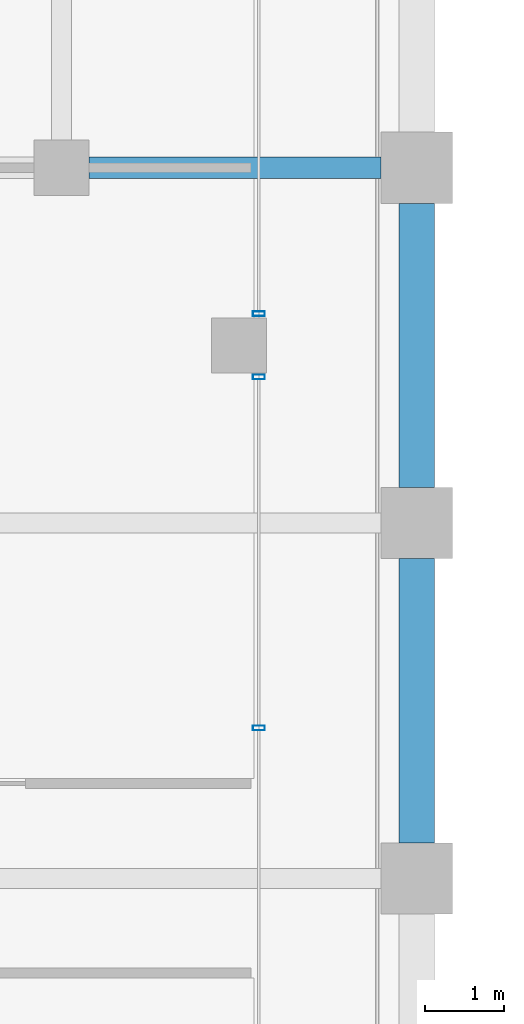
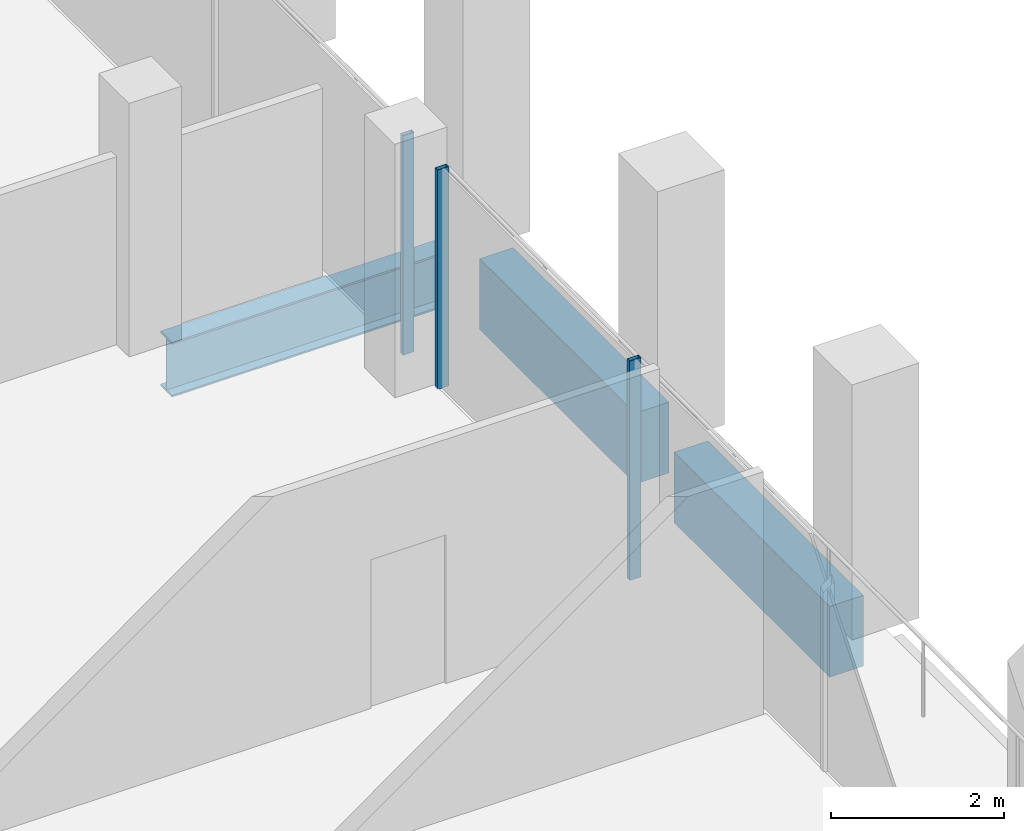
# One storey, part 19 of 40: 3 beams, 3 members, 2 elements without a shape of their own.
"""IFC4 building model written with IfcOpenShell, lengths in metres."""

from ifc_helpers import new_model, si_unit, direction, frame, origin, origin_2d, place, context, subcontext, project, spatial, rectangle, hollow_rectangle, i_section, extrude, material, material_profile, profile_set, type_object, element, aggregate, save


model = new_model("IFC4")

# Units and contexts
model_context = context("Model", 3, precision=1e-05, world=origin(), true_north=direction((0.0, 1.0)))
body_context = subcontext(model_context, "Body", "Model", "MODEL_VIEW")
ifc_project = project(units=[si_unit("LENGTHUNIT", "METRE"), si_unit("AREAUNIT", "SQUARE_METRE"), si_unit("VOLUMEUNIT", "CUBIC_METRE"), si_unit("PLANEANGLEUNIT", "RADIAN"), si_unit("MASSUNIT", "GRAM", prefix="KILO")], contexts=[model_context])

# Site, building, storey
site_placement = place(None, origin())
site = spatial("IfcSite", under=ifc_project, at=site_placement, CompositionType="ELEMENT")
building_placement = place(site_placement, origin())
building = spatial("IfcBuilding", under=site, at=building_placement, Name="Altepetl Exchange Towers", CompositionType="ELEMENT")
storey_placement = place(building_placement, frame((0.0, 0.0, 169.0)))
storey = spatial("IfcBuildingStorey", under=building, at=storey_placement, Name="L42", CompositionType="ELEMENT", Elevation=169.0)

# Beam
ifc_material_1 = material(Name="Steel S355", Category="steel")
ifc_material_profile_1 = material_profile(ifc_material_1, i_section(OverallWidth=0.26806640625, OverallDepth=0.77392578125, WebThickness=0.015380859375, FlangeThickness=0.025390625, at=origin_2d()), Name="W30X132")
ifc_profile_set_1 = profile_set([ifc_material_profile_1], Name="Steel S355")
beam_type_1 = type_object("IfcBeamType", Name="Girder W30X132", PredefinedType="BEAM", material=ifc_profile_set_1)
beam_placement = place(storey_placement, frame((67.85009765625, 58.5, -0.537109375), z_axis=(1.0, 0.0, 0.0), x_axis=(0.0, 1.0, 0.0)))
element("IfcBeam", 1, at=beam_placement, inside=storey, type_object=beam_type_1, Name="gd:A:L42:002", PredefinedType="BEAM", context=body_context, shape_type="SweptSolid", body=[
    extrude(i_section(OverallWidth=0.26806640625, OverallDepth=0.77392578125, WebThickness=0.015380859375, FlangeThickness=0.025390625, at=origin_2d()), origin(), (0.0, 0.0, 1.0), 3.699951171875),
])

# Curtain wall, members
ifc_material_2 = material(Name="Aluminium 6063-T6 glazing", Category="aluminium")
curtain_wall_type = type_object("IfcCurtainWallType", Name="Loggia glazing system", PredefinedType="NOTDEFINED", material=ifc_material_2)
curtain_wall_1_placement = place(storey_placement, origin())
curtain_wall_1 = element("IfcCurtainWall", 2, at=curtain_wall_1_placement, inside=storey, type_object=curtain_wall_type, Name="CW1 run", PredefinedType="NOTDEFINED")
ifc_material_3 = material(Name="Aluminium 6063-T6", Category="aluminium")
ifc_material_profile_2 = material_profile(ifc_material_3, hollow_rectangle(XDim=0.06005859375, YDim=0.14990234375, WallThickness=0.0029296875, at=origin_2d()), Name="Mullion 60x150 aluminium")
ifc_profile_set_2 = profile_set([ifc_material_profile_2], Name="Aluminium 6063-T6")
member_type = type_object("IfcMemberType", Name="Mullion 60x150 aluminium", PredefinedType="MULLION", material=ifc_profile_set_2)
member_1_placement = place(storey_placement, frame((70.0, 51.404052734375, 0.0), z_axis=(0.0, 0.0, 1.0), x_axis=(0.0, 1.0, 0.0)))
member_1 = element("IfcMember", 3, at=member_1_placement, type_object=member_type, Name="MU1 mullion", PredefinedType="MULLION", context=body_context, shape_type="SweptSolid", body=[
    extrude(hollow_rectangle(XDim=0.06005859375, YDim=0.14990234375, WallThickness=0.0029296875, at=origin_2d()), origin(), (0.0, 0.0, 1.0), 3.10009765625),
])
member_2_placement = place(storey_placement, frame((70.0, 55.85009765625, 0.0), z_axis=(0.0, 0.0, 1.0), x_axis=(0.0, 1.0, 0.0)))
member_2 = element("IfcMember", 4, at=member_2_placement, type_object=member_type, Name="MU1 mullion", PredefinedType="MULLION", context=body_context, shape_type="SweptSolid", body=[
    extrude(hollow_rectangle(XDim=0.06005859375, YDim=0.14990234375, WallThickness=0.0029296875, at=origin_2d()), origin(), (0.0, 0.0, 1.0), 3.10009765625),
])
aggregate(curtain_wall_1, [member_1, member_2])

# Curtain wall, member
curtain_wall_2_placement = place(storey_placement, origin())
curtain_wall_2 = element("IfcCurtainWall", 5, at=curtain_wall_2_placement, inside=storey, type_object=curtain_wall_type, Name="CW1 run", PredefinedType="NOTDEFINED")
member_3_placement = place(storey_placement, frame((70.0, 56.64990234375, 0.0), z_axis=(0.0, 0.0, 1.0), x_axis=(0.0, 1.0, 0.0)))
member_3 = element("IfcMember", 6, at=member_3_placement, type_object=member_type, Name="MU1 mullion", PredefinedType="MULLION", context=body_context, shape_type="SweptSolid", body=[
    extrude(hollow_rectangle(XDim=0.06005859375, YDim=0.14990234375, WallThickness=0.0029296875, at=origin_2d()), origin(), (0.0, 0.0, 1.0), 3.10009765625),
])
aggregate(curtain_wall_2, [member_3])

# Beams
ifc_material_4 = material(Name="Concrete C50/60 precast with cantera amarilla facing", Category="concrete")
ifc_material_profile_3 = material_profile(ifc_material_4, rectangle(XDim=0.449951171875, YDim=1.0, at=origin_2d()), Name="450 x 1000")
ifc_profile_set_3 = profile_set([ifc_material_profile_3], Name="Concrete C50/60 precast with cantera amarilla facing")
beam_type_2 = type_object("IfcBeamType", Name="Spandrel beam 450x1000 cantera amarilla", PredefinedType="SPANDREL", material=ifc_profile_set_3)
for number, where, z_axis, x_axis, name in (
    (7, (72.0, 49.949951171875, -0.64990234375), (0.0, 1.0, 0.0), (-1.0, 0.0, 0.0), "sp:A:L42:016"),
    (8, (72.0, 54.449951171875, -0.64990234375), (0.0, 1.0, 0.0), (-1.0, 0.0, 0.0), "sp:A:L42:017"),
):
    element("IfcBeam", number, at=place(storey_placement, frame(where, z_axis=z_axis, x_axis=x_axis)), inside=storey, type_object=beam_type_2, Name=name, PredefinedType="SPANDREL", context=body_context, shape_type="SweptSolid", body=[
        extrude(rectangle(XDim=0.449951171875, YDim=1.0, at=origin_2d()), origin(), (0.0, 0.0, 1.0), 3.60009765625),
    ])

save(model, "model.ifc")
